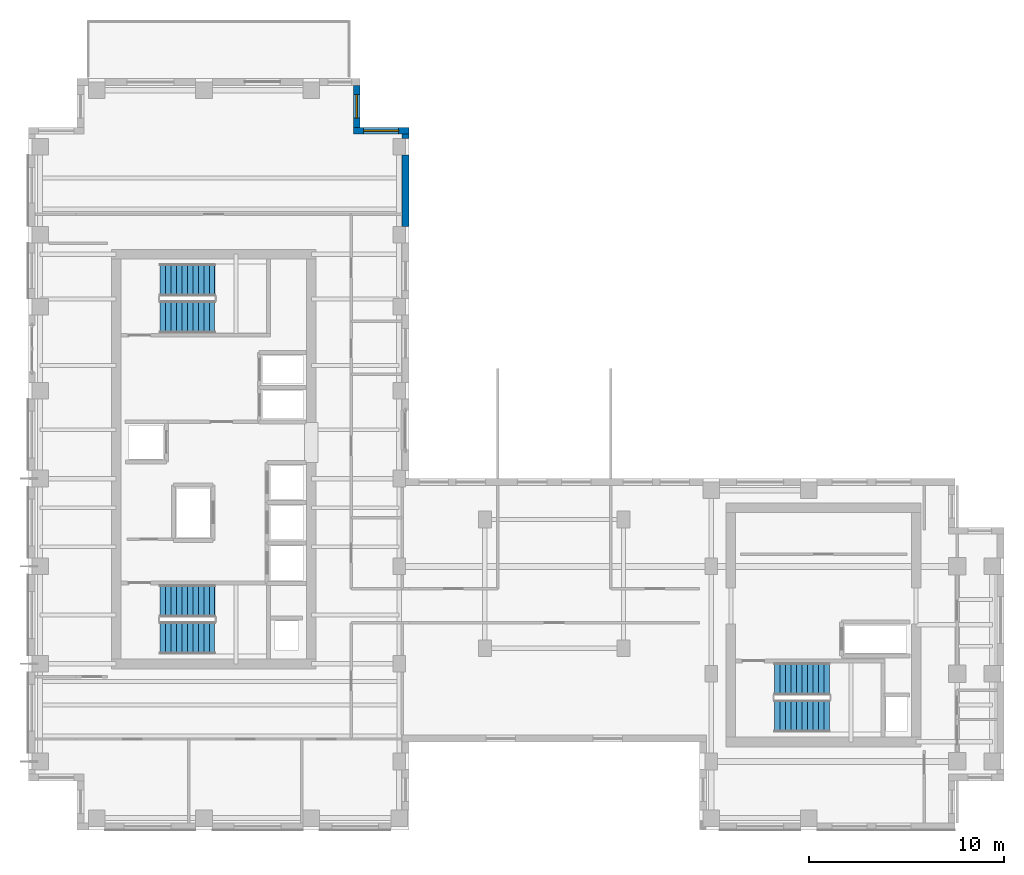
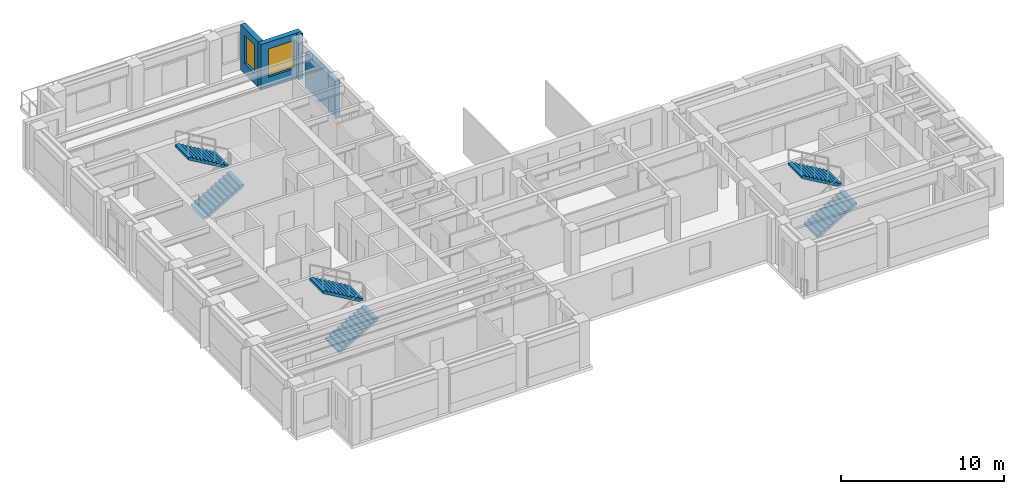
# One storey, part 11 of 14: 6 stair flights, 4 walls, 2 windows, 2 openings, 3 elements without a shape of their own.
"""IFC4 building model written with IfcOpenShell, lengths in metres."""

from ifc_helpers import new_model, si_unit, direction, frame, frame_2d, origin, place, context, subcontext, project, spatial, polyline, rectangle, outline, extrude, source, transform, mapped, material, layer, layer_set, type_object, element, fill, aggregate, save


model = new_model("IFC4")

# Units and contexts
model_context = context("Model", 3, precision=1e-05, world=origin(), true_north=direction((0.0, 1.0)))
body_context = subcontext(model_context, "Body", "Model", "MODEL_VIEW")
ifc_project = project(units=[si_unit("LENGTHUNIT", "METRE"), si_unit("AREAUNIT", "SQUARE_METRE"), si_unit("VOLUMEUNIT", "CUBIC_METRE"), si_unit("PLANEANGLEUNIT", "RADIAN"), si_unit("MASSUNIT", "GRAM", prefix="KILO")], contexts=[model_context])

# Site, building, storey
site_placement = place(None, origin())
site = spatial("IfcSite", under=ifc_project, at=site_placement, CompositionType="ELEMENT")
building_placement = place(site_placement, origin())
building = spatial("IfcBuilding", under=site, at=building_placement, Name="Kharzan Plaza Tower", CompositionType="ELEMENT")
storey_placement = place(building_placement, frame((0.0, 0.0, 212.39990234375)))
storey = spatial("IfcBuildingStorey", under=building, at=storey_placement, Name="L57", CompositionType="ELEMENT", Elevation=212.39990234375)

# Wall, opening, window
ifc_material_1 = material(Name="Concrete C40/50", Category="concrete")
ifc_layer = layer(ifc_material_1, 0.35009765625)
ifc_layer_set = layer_set([ifc_layer], Name="Concrete C40/50")
wall_type = type_object("IfcWallType", Name="WL-EXT-MAS-Z4", PredefinedType="SOLIDWALL", material=ifc_layer_set)
wall_1_placement = place(storey_placement, frame((19.5, 35.824951171875, 0.0), z_axis=(0.0, 0.0, 1.0), x_axis=(-1.0, 0.0, 0.0)))
wall_1 = element("IfcWall", 1, at=wall_1_placement, inside=storey, type_object=wall_type, Name="L57 Masonry-Frame Exterior Wall 01", PredefinedType="SOLIDWALL", context=body_context, shape_type="SweptSolid", body=[
    extrude(rectangle(XDim=2.85009765625, YDim=0.35009765625, at=frame_2d((1.425048828125, 0.0))), origin(), (0.0, 0.0, 1.0), 3.385009765625),
])
opening_1_placement = place(wall_1_placement, frame((0.52490234375, 0.0, 0.780029296875)))
opening_1 = element("IfcOpeningElement", 2, at=opening_1_placement, cuts=wall_1, Name="Opening W1", PredefinedType="OPENING", context=body_context, shape_type="SweptSolid", body=[
    extrude(rectangle(XDim=1.800048828125, YDim=2.10009765625, at=frame_2d((0.89990234375, 1.050048828125))), frame((0.0, 0.18505859375, 0.0), z_axis=(0.0, -1.0, 0.0), x_axis=(1.0, 0.0, 0.0)), (0.0, 0.0, 1.0), 0.3701171875),
])
ifc_material_2 = material(Name="Low-E Double Glazing", Category="glass")
window_type_1 = type_object("IfcWindowType", Name="WN-REC-1800x2100", PartitioningType="SINGLE_PANEL", PredefinedType="WINDOW", material=ifc_material_2)
shared_shape_1 = source(origin(), body_context, "Body", "SweptSolid", [
    extrude(rectangle(XDim=1.800048828125, YDim=2.10009765625, at=frame_2d((0.89990234375, 1.050048828125))), frame((0.0, 0.030029296875, 0.0), z_axis=(0.0, -1.0, 0.0), x_axis=(1.0, 0.0, 0.0)), (0.0, 0.0, 1.0), 0.06005859375),
])
window_1_placement = place(opening_1_placement, origin())
window_1 = element("IfcWindow", 3, at=window_1_placement, inside=storey, type_object=window_type_1, Name="L57 Recessed Solar-Control Window 01-1", OverallHeight=2.10009765625, OverallWidth=1.800048828125, PartitioningType="SINGLE_PANEL", PredefinedType="WINDOW", context=body_context, shape_type="MappedRepresentation", body=[
    mapped(shared_shape_1, transform((0.0, 0.0, 0.0), x_axis=(1.0, 0.0, 0.0), y_axis=(0.0, 1.0, 0.0), z_axis=(0.0, 0.0, 1.0))),
])
fill(opening_1, window_1)

wall_2_placement = place(storey_placement, frame((16.824951171875, 35.998046875, 0.0), z_axis=(0.0, 0.0, 1.0), x_axis=(0.0, 1.0, 0.0)))
wall_2 = element("IfcWall", 4, at=wall_2_placement, inside=storey, type_object=wall_type, Name="L57 Masonry-Frame Exterior Wall 02", PredefinedType="SOLIDWALL", context=body_context, shape_type="SweptSolid", body=[
    extrude(rectangle(XDim=2.154052734375, YDim=0.35009765625, at=frame_2d((1.0771484375, 0.0))), origin(), (0.0, 0.0, 1.0), 3.385009765625),
])
opening_2_placement = place(wall_2_placement, frame((0.47705078125, 0.0, 0.780029296875)))
opening_2 = element("IfcOpeningElement", 5, at=opening_2_placement, cuts=wall_2, Name="Opening W3", PredefinedType="OPENING", context=body_context, shape_type="SweptSolid", body=[
    extrude(rectangle(XDim=1.199951171875, YDim=2.10009765625, at=frame_2d((0.60009765625, 1.050048828125))), frame((0.0, 0.18505859375, 0.0), z_axis=(0.0, -1.0, 0.0), x_axis=(1.0, 0.0, 0.0)), (0.0, 0.0, 1.0), 0.3701171875),
])
window_type_2 = type_object("IfcWindowType", Name="WN-REC-1200x2100", PartitioningType="SINGLE_PANEL", PredefinedType="WINDOW", material=ifc_material_2)
shared_shape_2 = source(origin(), body_context, "Body", "SweptSolid", [
    extrude(rectangle(XDim=1.199951171875, YDim=2.10009765625, at=frame_2d((0.60009765625, 1.050048828125))), frame((0.0, 0.030029296875, 0.0), z_axis=(0.0, -1.0, 0.0), x_axis=(1.0, 0.0, 0.0)), (0.0, 0.0, 1.0), 0.06005859375),
])
window_2_placement = place(opening_2_placement, origin())
window_2 = element("IfcWindow", 6, at=window_2_placement, inside=storey, type_object=window_type_2, Name="L57 Recessed Solar-Control Window 02-1", OverallHeight=2.10009765625, OverallWidth=1.199951171875, PartitioningType="SINGLE_PANEL", PredefinedType="WINDOW", context=body_context, shape_type="MappedRepresentation", body=[
    mapped(shared_shape_2, transform((0.0, 0.0, 0.0), x_axis=(1.0, 0.0, 0.0), y_axis=(0.0, 1.0, 0.0), z_axis=(0.0, 0.0, 1.0))),
])
fill(opening_2, window_2)

# Walls
shared_shape_3 = source(origin(), body_context, "Body", "SweptSolid", [
    extrude(rectangle(XDim=0.22900390625, YDim=0.35009765625, at=frame_2d((0.114501953125, 0.0))), origin(), (0.0, 0.0, 1.0), 3.385009765625),
])
wall_3_placement = place(storey_placement, frame((19.324951171875, 35.423095703125, 0.0), z_axis=(0.0, 0.0, 1.0), x_axis=(0.0, 1.0, 0.0)))
element("IfcWall", 7, at=wall_3_placement, inside=storey, type_object=wall_type, Name="L57 Masonry-Frame Exterior Wall 48", PredefinedType="SOLIDWALL", context=body_context, shape_type="MappedRepresentation", body=[
    mapped(shared_shape_3, transform((0.0, 0.0, 0.0), x_axis=(1.0, 0.0, 0.0), y_axis=(0.0, 1.0, 0.0), z_axis=(0.0, 0.0, 1.0))),
])
shared_shape_4 = source(origin(), body_context, "Body", "SweptSolid", [
    extrude(rectangle(XDim=3.65380859375, YDim=0.35009765625, at=frame_2d((1.826904296875, 0.0))), origin(), (0.0, 0.0, 1.0), 2.619140625),
])
wall_4_placement = place(storey_placement, frame((19.324951171875, 30.923095703125, 0.0), z_axis=(0.0, 0.0, 1.0), x_axis=(0.0, 1.0, 0.0)))
element("IfcWall", 8, at=wall_4_placement, inside=storey, type_object=wall_type, Name="L57 Masonry-Frame Exterior Wall 47", PredefinedType="SOLIDWALL", context=body_context, shape_type="MappedRepresentation", body=[
    mapped(shared_shape_4, transform((0.0, 0.0, 0.0), x_axis=(1.0, 0.0, 0.0), y_axis=(0.0, 1.0, 0.0), z_axis=(0.0, 0.0, 1.0))),
])

# Stair, stair flights
stair_type_1 = type_object("IfcStairType", Name="STR-ST-1", PredefinedType="HALF_TURN_STAIR", material=ifc_material_1)
stair_1_placement = place(storey_placement, origin())
stair_1 = element("IfcStair", 9, at=stair_1_placement, inside=storey, type_object=stair_type_1, Name="L57 Protected Exit Stair ST-1", PredefinedType="HALF_TURN_STAIR")
stair_flight_type = type_object("IfcStairFlightType", Name="SFL-1650-R173", PredefinedType="STRAIGHT", material=ifc_material_1)
shared_shape_5 = source(origin(), body_context, "Body", "SweptSolid", [
    extrude(outline(polyline([(-0.0029296875, -0.011962890625), (-0.0029296875, 0.0), (0.0, 0.0), (0.0, 0.16357421875), (0.280029296875, 0.16357421875), (0.280029296875, 0.3271484375), (0.56005859375, 0.3271484375), (0.56005859375, 0.49072265625), (0.840087890625, 0.49072265625), (0.840087890625, 0.654296875), (1.1201171875, 0.654296875), (1.1201171875, 0.81787109375), (1.400146484375, 0.81787109375), (1.400146484375, 0.9814453125), (1.68017578125, 0.9814453125), (1.68017578125, 1.14501953125), (1.960205078125, 1.14501953125), (1.960205078125, 1.30859375), (2.240234375, 1.30859375), (2.240234375, 1.47216796875), (2.520263671875, 1.47216796875), (2.520263671875, 1.6357421875), (2.80029296875, 1.6357421875), (2.80029296875, 1.79931640625), (2.80029296875, 1.462158203125), (0.297119140625, 0.0), (0.297119140625, -0.011962890625), (-0.0029296875, -0.011962890625)])), frame((0.0, 0.824951171875, 0.0), z_axis=(0.0, -1.0, 0.0), x_axis=(1.0, 0.0, 0.0)), (0.0, 0.0, 1.0), 1.64990234375),
])
stair_flight_1_placement = place(storey_placement, frame((6.75, 9.824951171875, 0.0), z_axis=(0.0, 0.0, 1.0), x_axis=(1.0, 0.0, 0.0)))
stair_flight_1 = element("IfcStairFlight", 10, at=stair_flight_1_placement, type_object=stair_flight_type, Name="ST-1 flight 1", NumberOfRisers=11, NumberOfTreads=10, PredefinedType="STRAIGHT", RiserHeight=0.163636364, TreadLength=0.28, context=body_context, shape_type="MappedRepresentation", body=[
    mapped(shared_shape_5, transform((0.0, 0.0, 0.0), x_axis=(1.0, 0.0, 0.0), y_axis=(0.0, 1.0, 0.0), z_axis=(0.0, 0.0, 1.0))),
])
stair_flight_2_placement = place(storey_placement, frame((9.550048828125, 11.72509765625, 1.800048828125), z_axis=(0.0, 0.0, 1.0), x_axis=(-1.0, 0.0, 0.0)))
stair_flight_2 = element("IfcStairFlight", 11, at=stair_flight_2_placement, type_object=stair_flight_type, Name="ST-1 flight 2", NumberOfRisers=11, NumberOfTreads=10, PredefinedType="STRAIGHT", RiserHeight=0.163636364, TreadLength=0.28, context=body_context, shape_type="MappedRepresentation", body=[
    mapped(shared_shape_5, transform((0.0, 0.0, 0.0), x_axis=(1.0, 0.0, 0.0), y_axis=(0.0, 1.0, 0.0), z_axis=(0.0, 0.0, 1.0))),
])
aggregate(stair_1, [stair_flight_1, stair_flight_2])

stair_type_2 = type_object("IfcStairType", Name="STR-ST-2", PredefinedType="HALF_TURN_STAIR", material=ifc_material_1)
stair_2_placement = place(storey_placement, origin())
stair_2 = element("IfcStair", 12, at=stair_2_placement, inside=storey, type_object=stair_type_2, Name="L57 Protected Exit Stair ST-2", PredefinedType="HALF_TURN_STAIR")
stair_flight_3_placement = place(storey_placement, frame((6.75, 26.27490234375, 0.0), z_axis=(0.0, 0.0, 1.0), x_axis=(1.0, 0.0, 0.0)))
stair_flight_3 = element("IfcStairFlight", 13, at=stair_flight_3_placement, type_object=stair_flight_type, Name="ST-2 flight 1", NumberOfRisers=11, NumberOfTreads=10, PredefinedType="STRAIGHT", RiserHeight=0.163636364, TreadLength=0.28, context=body_context, shape_type="MappedRepresentation", body=[
    mapped(shared_shape_5, transform((0.0, 0.0, 0.0), x_axis=(1.0, 0.0, 0.0), y_axis=(0.0, 1.0, 0.0), z_axis=(0.0, 0.0, 1.0))),
])
stair_flight_4_placement = place(storey_placement, frame((9.550048828125, 28.175048828125, 1.800048828125), z_axis=(0.0, 0.0, 1.0), x_axis=(-1.0, 0.0, 0.0)))
stair_flight_4 = element("IfcStairFlight", 14, at=stair_flight_4_placement, type_object=stair_flight_type, Name="ST-2 flight 2", NumberOfRisers=11, NumberOfTreads=10, PredefinedType="STRAIGHT", RiserHeight=0.163636364, TreadLength=0.28, context=body_context, shape_type="MappedRepresentation", body=[
    mapped(shared_shape_5, transform((0.0, 0.0, 0.0), x_axis=(1.0, 0.0, 0.0), y_axis=(0.0, 1.0, 0.0), z_axis=(0.0, 0.0, 1.0))),
])
aggregate(stair_2, [stair_flight_3, stair_flight_4])

stair_type_3 = type_object("IfcStairType", Name="STR-ST-3", PredefinedType="HALF_TURN_STAIR", material=ifc_material_1)
stair_3_placement = place(storey_placement, origin())
stair_3 = element("IfcStair", 15, at=stair_3_placement, inside=storey, type_object=stair_type_3, Name="L57 Protected Exit Stair ST-3", PredefinedType="HALF_TURN_STAIR")
stair_flight_5_placement = place(storey_placement, frame((38.25, 5.824951171875, 0.0), z_axis=(0.0, 0.0, 1.0), x_axis=(1.0, 0.0, 0.0)))
stair_flight_5 = element("IfcStairFlight", 16, at=stair_flight_5_placement, type_object=stair_flight_type, Name="ST-3 flight 1", NumberOfRisers=11, NumberOfTreads=10, PredefinedType="STRAIGHT", RiserHeight=0.163636364, TreadLength=0.28, context=body_context, shape_type="MappedRepresentation", body=[
    mapped(shared_shape_5, transform((0.0, 0.0, 0.0), x_axis=(1.0, 0.0, 0.0), y_axis=(0.0, 1.0, 0.0), z_axis=(0.0, 0.0, 1.0))),
])
stair_flight_6_placement = place(storey_placement, frame((41.050048828125, 7.72509765625, 1.800048828125), z_axis=(0.0, 0.0, 1.0), x_axis=(-1.0, 0.0, 0.0)))
stair_flight_6 = element("IfcStairFlight", 17, at=stair_flight_6_placement, type_object=stair_flight_type, Name="ST-3 flight 2", NumberOfRisers=11, NumberOfTreads=10, PredefinedType="STRAIGHT", RiserHeight=0.163636364, TreadLength=0.28, context=body_context, shape_type="MappedRepresentation", body=[
    mapped(shared_shape_5, transform((0.0, 0.0, 0.0), x_axis=(1.0, 0.0, 0.0), y_axis=(0.0, 1.0, 0.0), z_axis=(0.0, 0.0, 1.0))),
])
aggregate(stair_3, [stair_flight_5, stair_flight_6])

save(model, "model.ifc")
